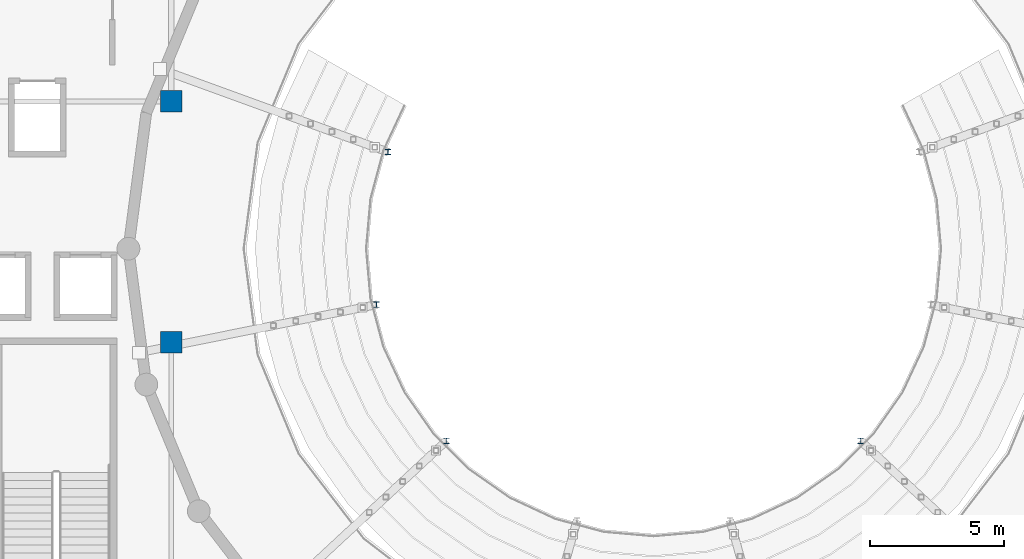
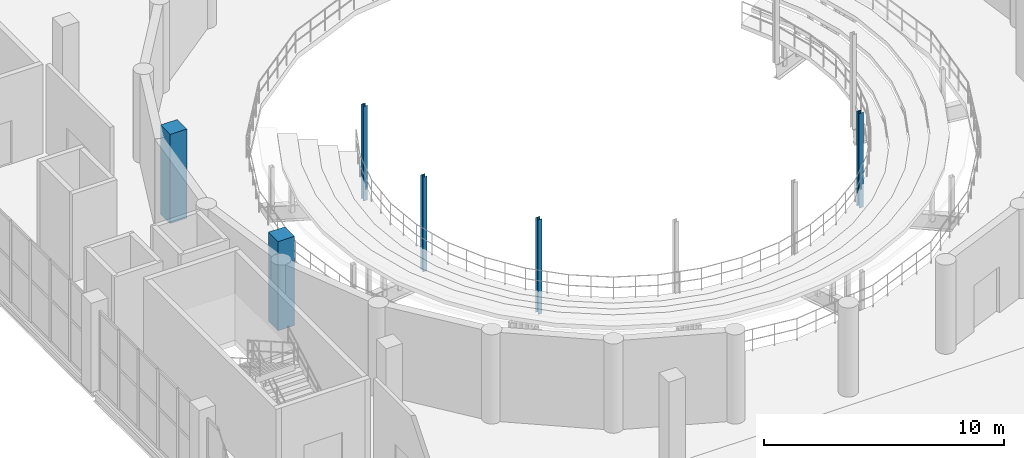
# One storey, part 10 of 93: 6 columns.
"""IFC4 building model written with IfcOpenShell, lengths in metres."""

from ifc_helpers import new_model, si_unit, direction, frame, origin, origin_2d, place, context, subcontext, project, spatial, rectangle, i_section, extrude, material, material_profile, profile_set, type_object, element, save


model = new_model("IFC4")

# Units and contexts
model_context = context("Model", 3, precision=1e-05, world=origin(), true_north=direction((0.0, 1.0)))
body_context = subcontext(model_context, "Body", "Model", "MODEL_VIEW")
ifc_project = project(units=[si_unit("LENGTHUNIT", "METRE"), si_unit("AREAUNIT", "SQUARE_METRE"), si_unit("VOLUMEUNIT", "CUBIC_METRE"), si_unit("PLANEANGLEUNIT", "RADIAN"), si_unit("MASSUNIT", "GRAM", prefix="KILO")], contexts=[model_context])

# Site, building, storey
site_placement = place(None, origin())
site = spatial("IfcSite", under=ifc_project, at=site_placement, CompositionType="ELEMENT")
building_placement = place(site_placement, origin())
building = spatial("IfcBuilding", under=site, at=building_placement, Name="Marnock Terrace Opera House", CompositionType="ELEMENT")
storey_placement = place(building_placement, frame((0.0, 0.0, 5.39990234375)))
storey = spatial("IfcBuildingStorey", under=building, at=storey_placement, Name="L01", CompositionType="ELEMENT", Elevation=5.39990234375)

# Columns
ifc_material_1 = material(Name="Concrete N50 (f'c = 50 MPa)", Category="concrete")
ifc_material_profile_1 = material_profile(ifc_material_1, rectangle(XDim=0.800048828125, YDim=0.800048828125, at=origin_2d()))
ifc_profile_set_1 = profile_set([ifc_material_profile_1], Name="Concrete N50 (f'c = 50 MPa)")
column_type_1 = type_object("IfcColumnType", Name="COL-RC800", PredefinedType="COLUMN", material=ifc_profile_set_1)
for number, where, z_axis, x_axis, name in (
    (1, (64.0, 57.0, 0.0), (0.0, 0.0, 1.0), (1.0, 0.0, 0.0), "L01 column at (64.0, 57.0)"),
    (2, (64.0, 66.0, 0.0), (0.0, 0.0, 1.0), (1.0, 0.0, 0.0), "L01 column at (64.0, 66.0)"),
):
    element("IfcColumn", number, at=place(storey_placement, frame(where, z_axis=z_axis, x_axis=x_axis)), inside=storey, type_object=column_type_1, Name=name, PredefinedType="COLUMN", context=body_context, shape_type="SweptSolid", body=[
        extrude(rectangle(XDim=0.800048828125, YDim=0.800048828125, at=origin_2d()), origin(), (0.0, 0.0, 1.0), 4.5400390625),
    ])
ifc_material_2 = material(Name="Steel Grade 350 (AS/NZS 3679.1)", Category="steel")
ifc_material_profile_2 = material_profile(ifc_material_2, i_section(OverallWidth=0.205078125, OverallDepth=0.209716796875, WebThickness=0.00927734375, FlangeThickness=0.01416015625, FilletRadius=0.011474609375, at=origin_2d()))
ifc_profile_set_2 = profile_set([ifc_material_profile_2], Name="Steel Grade 350 (AS/NZS 3679.1)")
column_type_2 = type_object("IfcColumnType", Name="COL-UC200", PredefinedType="COLUMN", material=ifc_profile_set_2)
for number, where, z_axis, x_axis, name in (
    (3, (72.086181640625, 64.1083984375, -0.829833984375), (0.0, 0.0, 1.0), (1.0, 0.0, 0.0), "L01 Auditorium balcony-front column 1"),
    (4, (71.6591796875, 58.40966796875, -0.829833984375), (0.0, 0.0, 1.0), (1.0, 0.0, 0.0), "L01 Auditorium balcony-front column 2"),
    (5, (74.266357421875, 53.32421875, -0.829833984375), (0.0, 0.0, 1.0), (1.0, 0.0, 0.0), "L01 Auditorium balcony-front column 3"),
    (6, (89.733642578125, 53.32421875, -0.829833984375), (0.0, 0.0, 1.0), (1.0, 0.0, 0.0), "L01 Auditorium balcony-front column 6"),
):
    element("IfcColumn", number, at=place(storey_placement, frame(where, z_axis=z_axis, x_axis=x_axis)), inside=storey, type_object=column_type_2, Name=name, PredefinedType="COLUMN", context=body_context, shape_type="SweptSolid", body=[
        extrude(i_section(OverallWidth=0.205078125, OverallDepth=0.209716796875, WebThickness=0.00927734375, FlangeThickness=0.01416015625, FilletRadius=0.011474609375, at=origin_2d()), origin(), (0.0, 0.0, 1.0), 4.81982421875),
    ])

save(model, "model.ifc")
